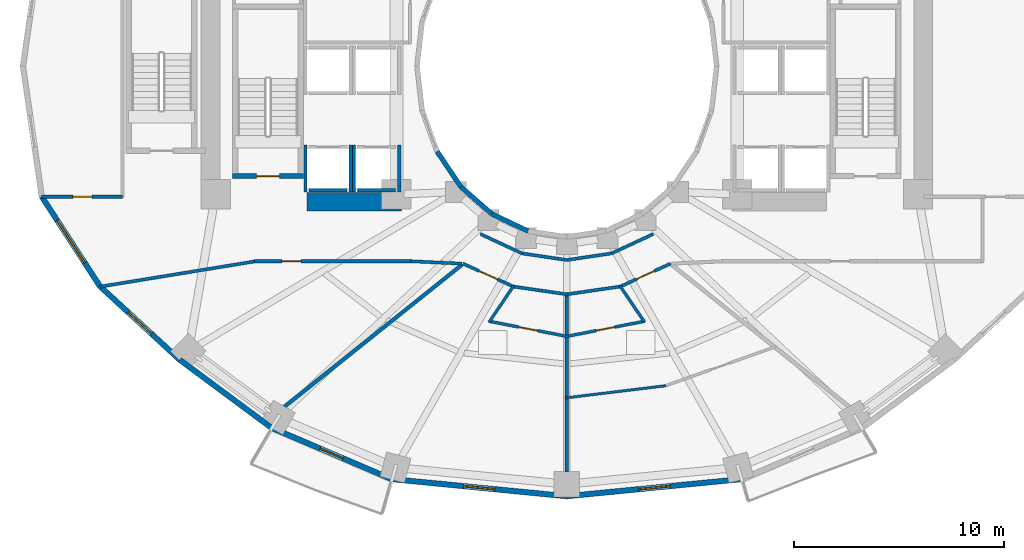
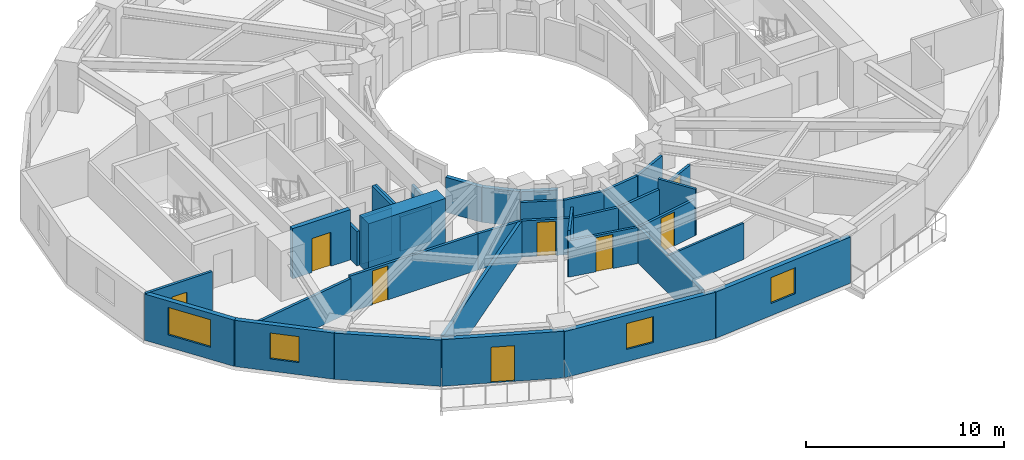
# One storey, part 3 of 10: 36 walls, 8 doors, 4 windows, 12 openings.
"""IFC4 building model written with IfcOpenShell, lengths in metres."""

from ifc_helpers import new_model, si_unit, direction, frame, frame_2d, origin, place, context, subcontext, project, spatial, rectangle, extrude, material, layer, layer_set, type_object, element, fill, save


model = new_model("IFC4")

# Units and contexts
model_context = context("Model", 3, precision=1e-05, world=origin(), true_north=direction((0.0, 1.0)))
body_context = subcontext(model_context, "Body", "Model", "MODEL_VIEW")
ifc_project = project(units=[si_unit("LENGTHUNIT", "METRE"), si_unit("AREAUNIT", "SQUARE_METRE"), si_unit("VOLUMEUNIT", "CUBIC_METRE"), si_unit("PLANEANGLEUNIT", "RADIAN"), si_unit("MASSUNIT", "GRAM", prefix="KILO")], contexts=[model_context])

# Site, building, storey
site_placement = place(None, origin())
site = spatial("IfcSite", under=ifc_project, at=site_placement, CompositionType="ELEMENT")
building_placement = place(site_placement, origin())
building = spatial("IfcBuilding", under=site, at=building_placement, Name="Solvane Sanctuary Tower", CompositionType="ELEMENT")
storey_placement = place(building_placement, frame((0.0, 0.0, 30.699951171875)))
storey = spatial("IfcBuildingStorey", under=building, at=storey_placement, Name="L08", CompositionType="ELEMENT", Elevation=30.699951171875)

# Walls
ifc_material_1 = material(Name="Concrete C70/85", Category="concrete")
ifc_layer_1 = layer(ifc_material_1, 0.89990234375, Name="Concrete C70/85")
ifc_layer_set_1 = layer_set([ifc_layer_1], Name="Concrete C70/85")
wall_type_1 = type_object("IfcWallType", Name="Wall W-CORE-900", PredefinedType="SHEAR", material=ifc_layer_set_1)
wall_1_placement = place(storey_placement, frame((19.64990234375, 16.550048828125, 0.0), z_axis=(0.0, 0.0, 1.0), x_axis=(1.0, 0.0, 0.0)))
element("IfcWall", 1, at=wall_1_placement, inside=storey, type_object=wall_type_1, Name="L08 Core Shear Wall WC-S", PredefinedType="SHEAR", context=body_context, shape_type="SweptSolid", body=[
    extrude(rectangle(XDim=4.5, YDim=0.89990234375, at=frame_2d((2.25, 0.0))), origin(), (0.0, 0.0, 1.0), 3.10009765625),
])
ifc_material_2 = material(Name="Acoustic Gypsum Partition Board")
ifc_layer_2 = layer(ifc_material_2, 0.14990234375, Name="Acoustic Gypsum Partition Board")
ifc_layer_set_2 = layer_set([ifc_layer_2], Name="Acoustic Gypsum Partition Board")
wall_type_2 = type_object("IfcWallType", Name="Wall W-CORR-150", PredefinedType="PARTITIONING", material=ifc_layer_set_2)
wall_2_placement = place(storey_placement, frame((27.889892578125, 15.01513671875, 0.0), z_axis=(0.0, 0.0, 1.0), x_axis=(0.906943449489, -0.421252393975, 0.0)))
element("IfcWall", 2, at=wall_2_placement, inside=storey, type_object=wall_type_2, Name="L08 Light-Well Corridor Rim Wall S1", PredefinedType="PARTITIONING", context=body_context, shape_type="SweptSolid", body=[
    extrude(rectangle(XDim=2.18603515625, YDim=0.14990234375, at=frame_2d((1.093017578125, 0.0))), origin(), (0.0, 0.0, 1.0), 2.237060546875),
])
for number, where, z_axis, x_axis, name in (
    (3, (29.87255859375, 14.09423828125, 0.0), (0.0, 0.0, 1.0), (0.989268584896, -0.146108408166, 0.0), "L08 Light-Well Corridor Rim Wall S2"),
    (4, (32.0, 13.780029296875, 0.0), (0.0, 0.0, 1.0), (0.989268584896, 0.146108408166, 0.0), "L08 Light-Well Corridor Rim Wall S3"),
):
    element("IfcWall", number, at=place(storey_placement, frame(where, z_axis=z_axis, x_axis=x_axis)), inside=storey, type_object=wall_type_2, Name=name, PredefinedType="PARTITIONING", context=body_context, shape_type="SweptSolid", body=[
        extrude(rectangle(XDim=2.150634765625, YDim=0.14990234375, at=frame_2d((1.0751953125, 0.0))), origin(), (0.0, 0.0, 1.0), 2.237060546875),
    ])
wall_3_placement = place(storey_placement, frame((34.12744140625, 14.09423828125, 0.0), z_axis=(0.0, 0.0, 1.0), x_axis=(0.906943449489, 0.421252393975, 0.0)))
element("IfcWall", 5, at=wall_3_placement, inside=storey, type_object=wall_type_2, Name="L08 Light-Well Corridor Rim Wall S4", PredefinedType="PARTITIONING", context=body_context, shape_type="SweptSolid", body=[
    extrude(rectangle(XDim=2.18603515625, YDim=0.14990234375, at=frame_2d((1.093017578125, 0.0))), origin(), (0.0, 0.0, 1.0), 2.237060546875),
])

# Wall, opening, door
wall_4_placement = place(storey_placement, frame((7.013671875, 16.788330078125, 0.0), z_axis=(0.0, 0.0, 1.0), x_axis=(1.0, 0.0, 0.0)))
wall_4 = element("IfcWall", 6, at=wall_4_placement, inside=storey, type_object=wall_type_2, Name="L08 West Shoulder South Wall", PredefinedType="PARTITIONING", context=body_context, shape_type="SweptSolid", body=[
    extrude(rectangle(XDim=3.8662109375, YDim=0.14990234375, at=frame_2d((1.93310546875, 0.0))), origin(), (0.0, 0.0, 1.0), 2.85498046875),
])
opening_1_placement = place(wall_4_placement, frame((1.503173828125, 0.0, 0.0)))
opening_1 = element("IfcOpeningElement", 7, at=opening_1_placement, cuts=wall_4, Name="Opening D-L08-13", PredefinedType="OPENING", context=body_context, shape_type="SweptSolid", body=[
    extrude(rectangle(XDim=0.89990234375, YDim=2.10009765625, at=frame_2d((0.449951171875, 1.050048828125))), frame((0.0, 0.0849609375, 0.0), z_axis=(0.0, -1.0, 0.0), x_axis=(1.0, 0.0, 0.0)), (0.0, 0.0, 1.0), 0.169921875),
])
ifc_material_3 = material(Name="Engineered Tropical Hardwood", Category="wood")
door_type_1 = type_object("IfcDoorType", Name="Door D-WET-900", OperationType="NOTDEFINED", PredefinedType="DOOR", material=ifc_material_3)
door_1_placement = place(opening_1_placement, origin())
door_1 = element("IfcDoor", 8, at=door_1_placement, inside=storey, type_object=door_type_1, Name="L08 West Shoulder South Door", OperationType="SINGLE_SWING_LEFT", OverallHeight=2.10009765625, OverallWidth=0.89990234375, PredefinedType="DOOR", context=body_context, shape_type="SweptSolid", body=[
    extrude(rectangle(XDim=0.89990234375, YDim=2.10009765625, at=frame_2d((0.449951171875, 1.050048828125))), frame((0.0, 0.02490234375, 0.0), z_axis=(0.0, -1.0, 0.0), x_axis=(1.0, 0.0, 0.0)), (0.0, 0.0, 1.0), 0.050048828125),
])
fill(opening_1, door_1)

# Wall
wall_5_placement = place(storey_placement, frame((27.02001953125, 13.606201171875, 0.0), z_axis=(0.0, 0.0, 1.0), x_axis=(-0.998877427952, 0.047369651964, 0.0)))
element("IfcWall", 9, at=wall_5_placement, inside=storey, type_object=wall_type_2, Name="L08 SW Corner Throat Wall", PredefinedType="PARTITIONING", context=body_context, shape_type="SweptSolid", body=[
    extrude(rectangle(XDim=2.4326171875, YDim=0.14990234375, at=frame_2d((1.21630859375, 0.0))), origin(), (0.0, 0.0, 1.0), 2.237060546875),
])

# Wall, opening, door
wall_6_placement = place(storey_placement, frame((17.14990234375, 13.719970703125, 0.0), z_axis=(0.0, 0.0, 1.0), x_axis=(1.0, 0.0, 0.0)))
wall_6 = element("IfcWall", 10, at=wall_6_placement, inside=storey, type_object=wall_type_2, Name="L08 SW Corner Corridor Wall", PredefinedType="PARTITIONING", context=body_context, shape_type="SweptSolid", body=[
    extrude(rectangle(XDim=7.52001953125, YDim=0.14990234375, at=frame_2d((3.760009765625, 0.0))), origin(), (0.0, 0.0, 1.0), 2.237060546875),
])
opening_2_placement = place(wall_6_placement, frame((1.300048828125, 0.0, 0.0)))
opening_2 = element("IfcOpeningElement", 11, at=opening_2_placement, cuts=wall_6, Name="Opening D-L08-16", PredefinedType="OPENING", context=body_context, shape_type="SweptSolid", body=[
    extrude(rectangle(XDim=0.89990234375, YDim=2.10009765625, at=frame_2d((0.449951171875, 1.050048828125))), frame((0.0, 0.0849609375, 0.0), z_axis=(0.0, -1.0, 0.0), x_axis=(1.0, 0.0, 0.0)), (0.0, 0.0, 1.0), 0.169921875),
])
door_2_placement = place(opening_2_placement, origin())
door_2 = element("IfcDoor", 12, at=door_2_placement, inside=storey, type_object=door_type_1, Name="L08 SW Corner Salon Door", OperationType="SINGLE_SWING_RIGHT", OverallHeight=2.10009765625, OverallWidth=0.89990234375, PredefinedType="DOOR", context=body_context, shape_type="SweptSolid", body=[
    extrude(rectangle(XDim=0.89990234375, YDim=2.10009765625, at=frame_2d((0.449951171875, 1.050048828125))), frame((0.0, 0.02490234375, 0.0), z_axis=(0.0, -1.0, 0.0), x_axis=(1.0, 0.0, 0.0)), (0.0, 0.0, 1.0), 0.050048828125),
])
fill(opening_2, door_2)

# Walls
wall_7_placement = place(storey_placement, frame((17.249267578125, 13.72802734375, 0.0), z_axis=(0.0, 0.0, 1.0), x_axis=(-0.98693078372, -0.161144742846, 0.0)))
element("IfcWall", 13, at=wall_7_placement, inside=storey, type_object=wall_type_2, Name="L08 SW Corner Wing Wall", PredefinedType="PARTITIONING", context=body_context, shape_type="SweptSolid", body=[
    extrude(rectangle(XDim=7.55712890625, YDim=0.14990234375, at=frame_2d((3.778564453125, 0.0))), origin(), (0.0, 0.0, 1.0), 2.069091796875),
])
wall_8_placement = place(storey_placement, frame((29.401123046875, 12.52685546875, 0.0), z_axis=(0.0, 0.0, 1.0), x_axis=(0.989649898776, -0.143502884474, 0.0)))
element("IfcWall", 14, at=wall_8_placement, inside=storey, type_object=wall_type_2, Name="L08 En-suite Inner Wall S1", PredefinedType="PARTITIONING", context=body_context, shape_type="SweptSolid", body=[
    extrude(rectangle(XDim=2.676025390625, YDim=0.14990234375, at=frame_2d((1.337890625, 0.0))), origin(), (0.0, 0.0, 1.0), 2.237060546875),
])

# Wall, opening, door
wall_9_placement = place(storey_placement, frame((27.069091796875, 13.607421875, 0.0), z_axis=(0.0, 0.0, 1.0), x_axis=(0.909747571199, -0.415161843982, 0.0)))
wall_9 = element("IfcWall", 15, at=wall_9_placement, inside=storey, type_object=wall_type_2, Name="L08 Unit Corridor Wall S1", PredefinedType="PARTITIONING", context=body_context, shape_type="SweptSolid", body=[
    extrude(rectangle(XDim=2.625, YDim=0.14990234375, at=frame_2d((1.3125, 0.0))), origin(), (0.0, 0.0, 1.0), 2.237060546875),
])
opening_3_placement = place(wall_9_placement, frame((0.837646484375, 0.0, 0.0)))
opening_3 = element("IfcOpeningElement", 16, at=opening_3_placement, cuts=wall_9, Name="Opening D-L08-24", PredefinedType="OPENING", context=body_context, shape_type="SweptSolid", body=[
    extrude(rectangle(XDim=0.949951171875, YDim=2.10009765625, at=frame_2d((0.47509765625, 1.050048828125))), frame((0.0, 0.0849609375, 0.0), z_axis=(0.0, -1.0, 0.0), x_axis=(1.0, 0.0, 0.0)), (0.0, 0.0, 1.0), 0.169921875),
])
door_type_2 = type_object("IfcDoorType", Name="Door D-ROOM-950", OperationType="NOTDEFINED", PredefinedType="DOOR", material=ifc_material_3)
door_3_placement = place(opening_3_placement, origin())
door_3 = element("IfcDoor", 17, at=door_3_placement, inside=storey, type_object=door_type_2, Name="L08 Unit Entrance Door S1", OperationType="SINGLE_SWING_RIGHT", OverallHeight=2.10009765625, OverallWidth=0.949951171875, PredefinedType="DOOR", context=body_context, shape_type="SweptSolid", body=[
    extrude(rectangle(XDim=0.949951171875, YDim=2.10009765625, at=frame_2d((0.47509765625, 1.050048828125))), frame((0.0, 0.02490234375, 0.0), z_axis=(0.0, -1.0, 0.0), x_axis=(1.0, 0.0, 0.0)), (0.0, 0.0, 1.0), 0.050048828125),
])
fill(opening_3, door_3)

# Wall
wall_10_placement = place(storey_placement, frame((31.950439453125, 12.142822265625, 0.0), z_axis=(0.0, 0.0, 1.0), x_axis=(0.989649898776, 0.143502884474, 0.0)))
element("IfcWall", 18, at=wall_10_placement, inside=storey, type_object=wall_type_2, Name="L08 En-suite Inner Wall S2", PredefinedType="PARTITIONING", context=body_context, shape_type="SweptSolid", body=[
    extrude(rectangle(XDim=2.676025390625, YDim=0.14990234375, at=frame_2d((1.337890625, 0.0))), origin(), (0.0, 0.0, 1.0), 2.237060546875),
])

# Wall, opening, door
wall_11_placement = place(storey_placement, frame((34.542724609375, 12.517578125, 0.0), z_axis=(0.0, 0.0, 1.0), x_axis=(0.909747571199, 0.415161843982, 0.0)))
wall_11 = element("IfcWall", 19, at=wall_11_placement, inside=storey, type_object=wall_type_2, Name="L08 Unit Corridor Wall S2", PredefinedType="PARTITIONING", context=body_context, shape_type="SweptSolid", body=[
    extrude(rectangle(XDim=2.625, YDim=0.14990234375, at=frame_2d((1.3125, 0.0))), origin(), (0.0, 0.0, 1.0), 2.237060546875),
])
opening_4_placement = place(wall_11_placement, frame((0.837646484375, 0.0, 0.0)))
opening_4 = element("IfcOpeningElement", 20, at=opening_4_placement, cuts=wall_11, Name="Opening D-L08-27", PredefinedType="OPENING", context=body_context, shape_type="SweptSolid", body=[
    extrude(rectangle(XDim=0.949951171875, YDim=2.10009765625, at=frame_2d((0.47509765625, 1.050048828125))), frame((0.0, 0.0849609375, 0.0), z_axis=(0.0, -1.0, 0.0), x_axis=(1.0, 0.0, 0.0)), (0.0, 0.0, 1.0), 0.169921875),
])
door_4_placement = place(opening_4_placement, origin())
door_4 = element("IfcDoor", 21, at=door_4_placement, inside=storey, type_object=door_type_2, Name="L08 Unit Entrance Door S2", OperationType="SINGLE_SWING_LEFT", OverallHeight=2.10009765625, OverallWidth=0.949951171875, PredefinedType="DOOR", context=body_context, shape_type="SweptSolid", body=[
    extrude(rectangle(XDim=0.949951171875, YDim=2.10009765625, at=frame_2d((0.47509765625, 1.050048828125))), frame((0.0, 0.02490234375, 0.0), z_axis=(0.0, -1.0, 0.0), x_axis=(1.0, 0.0, 0.0)), (0.0, 0.0, 1.0), 0.050048828125),
])
fill(opening_4, door_4)

# Wall, opening, window
ifc_material_4 = material(Name="Precast concrete C40/50", Category="concrete")
ifc_layer_3 = layer(ifc_material_4, 0.260009765625, Name="Precast concrete C40/50")
ifc_layer_set_3 = layer_set([ifc_layer_3], Name="Precast concrete C40/50")
wall_type_3 = type_object("IfcWallType", Name="Wall W-EXT-250", PredefinedType="STANDARD", material=ifc_layer_set_3)
wall_12_placement = place(storey_placement, frame((7.033447265625, 16.794677734375, 0.0), z_axis=(0.0, 0.0, 1.0), x_axis=(0.544578722263, -0.838709732421, 0.0)))
wall_12 = element("IfcWall", 22, at=wall_12_placement, inside=storey, type_object=wall_type_3, Name="L08 Ceramic-Printed Facade Wall 13", PredefinedType="STANDARD", context=body_context, shape_type="SweptSolid", body=[
    extrude(rectangle(XDim=5.091552734375, YDim=0.260009765625, at=frame_2d((2.5458984375, 0.0))), origin(), (0.0, 0.0, 1.0), 2.85009765625),
])
opening_5_placement = place(wall_12_placement, frame((1.345703125, 0.0, 0.75)))
opening_5 = element("IfcOpeningElement", 23, at=opening_5_placement, cuts=wall_12, Name="Opening WN-RIB-2400", PredefinedType="OPENING", context=body_context, shape_type="SweptSolid", body=[
    extrude(rectangle(XDim=2.39990234375, YDim=1.699951171875, at=frame_2d((1.199951171875, 0.85009765625))), frame((0.0, 0.139892578125, 0.0), z_axis=(0.0, -1.0, 0.0), x_axis=(1.0, 0.0, 0.0)), (0.0, 0.0, 1.0), 0.280029296875),
])
ifc_material_5 = material(Name="Dark Ceramic-Fritted Low-E Glass", Category="glass")
window_type_1 = type_object("IfcWindowType", Name="Window WN-RIB-2400", PartitioningType="SINGLE_PANEL", PredefinedType="WINDOW", material=ifc_material_5)
window_1_placement = place(opening_5_placement, origin())
window_1 = element("IfcWindow", 24, at=window_1_placement, inside=storey, type_object=window_type_1, Name="L08 Operable Facade Window 13", OverallHeight=1.699951171875, OverallWidth=2.39990234375, PartitioningType="SINGLE_PANEL", PredefinedType="WINDOW", context=body_context, shape_type="SweptSolid", body=[
    extrude(rectangle(XDim=2.39990234375, YDim=1.699951171875, at=frame_2d((1.199951171875, 0.85009765625))), frame((0.0, 0.030029296875, 0.0), z_axis=(0.0, -1.0, 0.0), x_axis=(1.0, 0.0, 0.0)), (0.0, 0.0, 1.0), 0.06005859375),
])
fill(opening_5, window_1)

wall_13_placement = place(storey_placement, frame((9.80615234375, 12.5244140625, 0.0), z_axis=(0.0, 0.0, 1.0), x_axis=(0.735655109293, -0.67735630223, 0.0)))
wall_13 = element("IfcWall", 25, at=wall_13_placement, inside=storey, type_object=wall_type_3, Name="L08 Ceramic-Printed Facade Wall 14", PredefinedType="STANDARD", context=body_context, shape_type="SweptSolid", body=[
    extrude(rectangle(XDim=5.15087890625, YDim=0.260009765625, at=frame_2d((2.575439453125, 0.0))), origin(), (0.0, 0.0, 1.0), 2.85009765625),
])
opening_6_placement = place(wall_13_placement, frame((1.825439453125, 0.0, 0.75)))
opening_6 = element("IfcOpeningElement", 26, at=opening_6_placement, cuts=wall_13, Name="Opening WN-OPER-1500", PredefinedType="OPENING", context=body_context, shape_type="SweptSolid", body=[
    extrude(rectangle(XDim=1.5, YDim=1.60009765625, at=frame_2d((0.75, 0.800048828125))), frame((0.0, 0.139892578125, 0.0), z_axis=(0.0, -1.0, 0.0), x_axis=(1.0, 0.0, 0.0)), (0.0, 0.0, 1.0), 0.280029296875),
])
window_type_2 = type_object("IfcWindowType", Name="Window WN-OPER-1500", PartitioningType="SINGLE_PANEL", PredefinedType="WINDOW", material=ifc_material_5)
window_2_placement = place(opening_6_placement, origin())
window_2 = element("IfcWindow", 27, at=window_2_placement, inside=storey, type_object=window_type_2, Name="L08 Operable Facade Window 14", OverallHeight=1.60009765625, OverallWidth=1.5, PartitioningType="SINGLE_PANEL", PredefinedType="WINDOW", context=body_context, shape_type="SweptSolid", body=[
    extrude(rectangle(XDim=1.5, YDim=1.60009765625, at=frame_2d((0.75, 0.800048828125))), frame((0.0, 0.030029296875, 0.0), z_axis=(0.0, -1.0, 0.0), x_axis=(1.0, 0.0, 0.0)), (0.0, 0.0, 1.0), 0.06005859375),
])
fill(opening_6, window_2)

# Wall
wall_14_placement = place(storey_placement, frame((13.595458984375, 9.035400390625, 0.0), z_axis=(0.0, 0.0, 1.0), x_axis=(0.803477531792, -0.595335078679, 0.0)))
element("IfcWall", 28, at=wall_14_placement, inside=storey, type_object=wall_type_3, Name="L08 Ceramic-Printed Facade Wall 15", PredefinedType="STANDARD", context=body_context, shape_type="SweptSolid", body=[
    extrude(rectangle(XDim=5.4296875, YDim=0.260009765625, at=frame_2d((2.71484375, 0.0))), origin(), (0.0, 0.0, 1.0), 2.85009765625),
])

# Wall, opening, door
wall_15_placement = place(storey_placement, frame((17.9580078125, 5.802978515625, 0.0), z_axis=(0.0, 0.0, 1.0), x_axis=(0.919612132394, -0.39282760335, 0.0)))
wall_15 = element("IfcWall", 29, at=wall_15_placement, inside=storey, type_object=wall_type_3, Name="L08 Balcony Facade Wall S1", PredefinedType="STANDARD", context=body_context, shape_type="SweptSolid", body=[
    extrude(rectangle(XDim=6.20947265625, YDim=0.260009765625, at=frame_2d((3.104736328125, 0.0))), origin(), (0.0, 0.0, 1.0), 2.880126953125),
])
opening_7_placement = place(wall_15_placement, frame((2.5048828125, 0.0, 0.0)))
opening_7 = element("IfcOpeningElement", 30, at=opening_7_placement, cuts=wall_15, Name="Opening D-L08-03", PredefinedType="OPENING", context=body_context, shape_type="SweptSolid", body=[
    extrude(rectangle(XDim=1.199951171875, YDim=2.199951171875, at=frame_2d((0.60009765625, 1.10009765625))), frame((0.0, 0.139892578125, 0.0), z_axis=(0.0, -1.0, 0.0), x_axis=(1.0, 0.0, 0.0)), (0.0, 0.0, 1.0), 0.280029296875),
])
ifc_material_6 = material(Name="Anodised Aluminium 6063-T6", Category="aluminium")
door_type_3 = type_object("IfcDoorType", Name="Door D-BALC-1200", OperationType="NOTDEFINED", PredefinedType="DOOR", material=ifc_material_6)
door_5_placement = place(opening_7_placement, origin())
door_5 = element("IfcDoor", 31, at=door_5_placement, inside=storey, type_object=door_type_3, Name="L08 Glazed Balcony Door S1", OperationType="SINGLE_SWING_RIGHT", OverallHeight=2.199951171875, OverallWidth=1.199951171875, PredefinedType="DOOR", context=body_context, shape_type="SweptSolid", body=[
    extrude(rectangle(XDim=1.199951171875, YDim=2.199951171875, at=frame_2d((0.60009765625, 1.10009765625))), frame((0.0, 0.02490234375, 0.0), z_axis=(0.0, -1.0, 0.0), x_axis=(1.0, 0.0, 0.0)), (0.0, 0.0, 1.0), 0.050048828125),
])
fill(opening_7, door_5)

# Wall, opening, window
wall_16_placement = place(storey_placement, frame((23.668212890625, 3.36376953125, 0.0), z_axis=(0.0, 0.0, 1.0), x_axis=(0.995247718352, -0.097375454379, 0.0)))
wall_16 = element("IfcWall", 32, at=wall_16_placement, inside=storey, type_object=wall_type_3, Name="L08 Ceramic-Printed Facade Wall 17", PredefinedType="STANDARD", context=body_context, shape_type="SweptSolid", body=[
    extrude(rectangle(XDim=8.37158203125, YDim=0.260009765625, at=frame_2d((4.185791015625, 0.0))), origin(), (0.0, 0.0, 1.0), 2.85009765625),
])
opening_8_placement = place(wall_16_placement, frame((3.435791015625, 0.0, 0.75)))
opening_8 = element("IfcOpeningElement", 33, at=opening_8_placement, cuts=wall_16, Name="Opening WN-OPER-1500", PredefinedType="OPENING", context=body_context, shape_type="SweptSolid", body=[
    extrude(rectangle(XDim=1.5, YDim=1.60009765625, at=frame_2d((0.75, 0.800048828125))), frame((0.0, 0.139892578125, 0.0), z_axis=(0.0, -1.0, 0.0), x_axis=(1.0, 0.0, 0.0)), (0.0, 0.0, 1.0), 0.280029296875),
])
window_3_placement = place(opening_8_placement, origin())
window_3 = element("IfcWindow", 34, at=window_3_placement, inside=storey, type_object=window_type_2, Name="L08 Operable Facade Window 17", OverallHeight=1.60009765625, OverallWidth=1.5, PartitioningType="SINGLE_PANEL", PredefinedType="WINDOW", context=body_context, shape_type="SweptSolid", body=[
    extrude(rectangle(XDim=1.5, YDim=1.60009765625, at=frame_2d((0.75, 0.800048828125))), frame((0.0, 0.030029296875, 0.0), z_axis=(0.0, -1.0, 0.0), x_axis=(1.0, 0.0, 0.0)), (0.0, 0.0, 1.0), 0.06005859375),
])
fill(opening_8, window_3)

wall_17_placement = place(storey_placement, frame((32.0, 2.548583984375, 0.0), z_axis=(0.0, 0.0, 1.0), x_axis=(0.995247718352, 0.097375454379, 0.0)))
wall_17 = element("IfcWall", 35, at=wall_17_placement, inside=storey, type_object=wall_type_3, Name="L08 Ceramic-Printed Facade Wall 18", PredefinedType="STANDARD", context=body_context, shape_type="SweptSolid", body=[
    extrude(rectangle(XDim=8.37158203125, YDim=0.260009765625, at=frame_2d((4.185791015625, 0.0))), origin(), (0.0, 0.0, 1.0), 2.85009765625),
])
opening_9_placement = place(wall_17_placement, frame((3.435791015625, 0.0, 0.75)))
opening_9 = element("IfcOpeningElement", 36, at=opening_9_placement, cuts=wall_17, Name="Opening WN-OPER-1500", PredefinedType="OPENING", context=body_context, shape_type="SweptSolid", body=[
    extrude(rectangle(XDim=1.5, YDim=1.60009765625, at=frame_2d((0.75, 0.800048828125))), frame((0.0, 0.139892578125, 0.0), z_axis=(0.0, -1.0, 0.0), x_axis=(1.0, 0.0, 0.0)), (0.0, 0.0, 1.0), 0.280029296875),
])
window_4_placement = place(opening_9_placement, origin())
window_4 = element("IfcWindow", 37, at=window_4_placement, inside=storey, type_object=window_type_2, Name="L08 Operable Facade Window 18", OverallHeight=1.60009765625, OverallWidth=1.5, PartitioningType="SINGLE_PANEL", PredefinedType="WINDOW", context=body_context, shape_type="SweptSolid", body=[
    extrude(rectangle(XDim=1.5, YDim=1.60009765625, at=frame_2d((0.75, 0.800048828125))), frame((0.0, 0.030029296875, 0.0), z_axis=(0.0, -1.0, 0.0), x_axis=(1.0, 0.0, 0.0)), (0.0, 0.0, 1.0), 0.06005859375),
])
fill(opening_9, window_4)

# Walls
ifc_layer_4 = layer(ifc_material_4, 0.22998046875, Name="Precast concrete C40/50")
ifc_layer_set_4 = layer_set([ifc_layer_4], Name="Precast concrete C40/50")
wall_type_4 = type_object("IfcWallType", Name="Wall W-EXT-SP220", PredefinedType="STANDARD", material=ifc_layer_set_4)
wall_18_placement = place(storey_placement, frame((25.833984375, 18.93994140625, 0.0), z_axis=(0.0, 0.0, 1.0), x_axis=(0.558197800898, -0.829707909492, 0.0)))
element("IfcWall", 38, at=wall_18_placement, inside=storey, type_object=wall_type_4, Name="L08 Central Light-Well Wall 14", PredefinedType="STANDARD", context=body_context, shape_type="SweptSolid", body=[
    extrude(rectangle(XDim=2.02685546875, YDim=0.22998046875, at=frame_2d((1.013427734375, 0.0))), origin(), (0.0, 0.0, 1.0), 2.16015625),
])
wall_19_placement = place(storey_placement, frame((26.96533203125, 17.25830078125, 0.0), z_axis=(0.0, 0.0, 1.0), x_axis=(0.752576694707, -0.658504607869, 0.0)))
element("IfcWall", 39, at=wall_19_placement, inside=storey, type_object=wall_type_4, Name="L08 Central Light-Well Wall 15", PredefinedType="STANDARD", context=body_context, shape_type="SweptSolid", body=[
    extrude(rectangle(XDim=1.95947265625, YDim=0.22998046875, at=frame_2d((0.979736328125, 0.0))), origin(), (0.0, 0.0, 1.0), 2.16015625),
])
wall_20_placement = place(storey_placement, frame((28.43994140625, 15.968017578125, 0.0), z_axis=(0.0, 0.0, 1.0), x_axis=(0.904179699603, -0.427152280606, 0.0)))
element("IfcWall", 40, at=wall_20_placement, inside=storey, type_object=wall_type_4, Name="L08 Central Light-Well Wall 16", PredefinedType="STANDARD", context=body_context, shape_type="SweptSolid", body=[
    extrude(rectangle(XDim=1.899169921875, YDim=0.22998046875, at=frame_2d((0.94970703125, 0.0))), origin(), (0.0, 0.0, 1.0), 2.16015625),
])
ifc_layer_5 = layer(ifc_material_2, 0.1201171875, Name="Acoustic Gypsum Partition Board")
ifc_layer_set_5 = layer_set([ifc_layer_5], Name="Acoustic Gypsum Partition Board")
wall_type_5 = type_object("IfcWallType", Name="Wall W-MOV-100", PredefinedType="MOVABLE", material=ifc_layer_set_5)
wall_21_placement = place(storey_placement, frame((31.950439453125, 7.224609375, 0.0), z_axis=(0.0, 0.0, 1.0), x_axis=(0.992699076447, 0.120617343785, 0.0)))
element("IfcWall", 41, at=wall_21_placement, inside=storey, type_object=wall_type_5, Name="L08 Suite Sitting Lounge Partition S2", PredefinedType="MOVABLE", context=body_context, shape_type="SweptSolid", body=[
    extrude(rectangle(XDim=4.79296875, YDim=0.1201171875, at=frame_2d((2.396484375, 0.0))), origin(), (0.0, 0.0, 1.0), 2.237060546875),
])
ifc_material_7 = material(Name="Concrete C50/60", Category="concrete")
ifc_layer_6 = layer(ifc_material_7, 0.14990234375, Name="Concrete C50/60")
ifc_layer_set_6 = layer_set([ifc_layer_6], Name="Concrete C50/60")
wall_type_6 = type_object("IfcWallType", Name="Wall W-SHAFT-150", PredefinedType="SOLIDWALL", material=ifc_layer_set_6)
wall_22_placement = place(storey_placement, frame((19.739990234375, 17.10009765625, 0.0), z_axis=(0.0, 0.0, 1.0), x_axis=(1.0, 0.0, 0.0)))
element("IfcWall", 42, at=wall_22_placement, inside=storey, type_object=wall_type_6, Name="L08 PL-1 Lift Shaft Wall B", PredefinedType="SOLIDWALL", context=body_context, shape_type="SweptSolid", body=[
    extrude(rectangle(XDim=1.820068359375, YDim=0.14990234375, at=frame_2d((0.91015625, 0.0))), origin(), (0.0, 0.0, 1.0), 2.85498046875),
])
wall_23_placement = place(storey_placement, frame((19.570068359375, 17.02001953125, 0.0), z_axis=(0.0, 0.0, 1.0), x_axis=(0.0, 1.0, 0.0)))
element("IfcWall", 43, at=wall_23_placement, inside=storey, type_object=wall_type_6, Name="L08 PL-1 Lift Shaft Wall S1", PredefinedType="SOLIDWALL", context=body_context, shape_type="SweptSolid", body=[
    extrude(rectangle(XDim=2.219970703125, YDim=0.14990234375, at=frame_2d((1.10986328125, 0.0))), origin(), (0.0, 0.0, 1.0), 2.1201171875),
])
wall_24_placement = place(storey_placement, frame((21.72998046875, 17.02001953125, 0.0), z_axis=(0.0, 0.0, 1.0), x_axis=(0.0, 1.0, 0.0)))
element("IfcWall", 44, at=wall_24_placement, inside=storey, type_object=wall_type_6, Name="L08 PL-1 Lift Shaft Wall S2", PredefinedType="SOLIDWALL", context=body_context, shape_type="SweptSolid", body=[
    extrude(rectangle(XDim=2.219970703125, YDim=0.14990234375, at=frame_2d((1.10986328125, 0.0))), origin(), (0.0, 0.0, 1.0), 2.85498046875),
])
wall_25_placement = place(storey_placement, frame((22.0400390625, 17.10009765625, 0.0), z_axis=(0.0, 0.0, 1.0), x_axis=(1.0, 0.0, 0.0)))
element("IfcWall", 45, at=wall_25_placement, inside=storey, type_object=wall_type_6, Name="L08 PL-2 Lift Shaft Wall B", PredefinedType="SOLIDWALL", context=body_context, shape_type="SweptSolid", body=[
    extrude(rectangle(XDim=1.820068359375, YDim=0.14990234375, at=frame_2d((0.91015625, 0.0))), origin(), (0.0, 0.0, 1.0), 2.1201171875),
])
wall_26_placement = place(storey_placement, frame((21.8701171875, 17.02001953125, 0.0), z_axis=(0.0, 0.0, 1.0), x_axis=(0.0, 1.0, 0.0)))
element("IfcWall", 46, at=wall_26_placement, inside=storey, type_object=wall_type_6, Name="L08 PL-2 Lift Shaft Wall S1", PredefinedType="SOLIDWALL", context=body_context, shape_type="SweptSolid", body=[
    extrude(rectangle(XDim=2.219970703125, YDim=0.14990234375, at=frame_2d((1.10986328125, 0.0))), origin(), (0.0, 0.0, 1.0), 2.85498046875),
])
wall_27_placement = place(storey_placement, frame((24.030029296875, 17.02001953125, 0.0), z_axis=(0.0, 0.0, 1.0), x_axis=(0.0, 1.0, 0.0)))
element("IfcWall", 47, at=wall_27_placement, inside=storey, type_object=wall_type_6, Name="L08 PL-2 Lift Shaft Wall S2", PredefinedType="SOLIDWALL", context=body_context, shape_type="SweptSolid", body=[
    extrude(rectangle(XDim=2.219970703125, YDim=0.14990234375, at=frame_2d((1.10986328125, 0.0))), origin(), (0.0, 0.0, 1.0), 2.1201171875),
])

# Wall, opening, door
ifc_layer_7 = layer(ifc_material_7, 0.25, Name="Concrete C50/60")
ifc_layer_set_7 = layer_set([ifc_layer_7], Name="Concrete C50/60")
wall_type_7 = type_object("IfcWallType", Name="Wall W-SHAFT-250", PredefinedType="SOLIDWALL", material=ifc_layer_set_7)
wall_28_placement = place(storey_placement, frame((16.10498046875, 17.77001953125, 0.0), z_axis=(0.0, 0.0, 1.0), x_axis=(1.0, 0.0, 0.0)))
wall_28 = element("IfcWall", 48, at=wall_28_placement, inside=storey, type_object=wall_type_7, Name="L08 ST-1 Load-Bearing Shaft Wall S", PredefinedType="SOLIDWALL", context=body_context, shape_type="SweptSolid", body=[
    extrude(rectangle(XDim=3.3701171875, YDim=0.25, at=frame_2d((1.68505859375, 0.0))), origin(), (0.0, 0.0, 1.0), 3.10009765625),
])
opening_10_placement = place(wall_28_placement, frame((1.135009765625, 0.0, 0.0)))
opening_10 = element("IfcOpeningElement", 49, at=opening_10_placement, cuts=wall_28, Name="Opening D-L08-05", PredefinedType="OPENING", context=body_context, shape_type="SweptSolid", body=[
    extrude(rectangle(XDim=1.10009765625, YDim=2.10009765625, at=frame_2d((0.550048828125, 1.050048828125))), frame((0.0, 0.135009765625, 0.0), z_axis=(0.0, -1.0, 0.0), x_axis=(1.0, 0.0, 0.0)), (0.0, 0.0, 1.0), 0.27001953125),
])
ifc_material_8 = material(Name="Architectural Stainless Steel 316", Category="steel")
door_type_4 = type_object("IfcDoorType", Name="Door D-STAIR", OperationType="NOTDEFINED", PredefinedType="DOOR", material=ifc_material_8)
door_6_placement = place(opening_10_placement, origin())
door_6 = element("IfcDoor", 50, at=door_6_placement, inside=storey, type_object=door_type_4, Name="L08 ST-1 Exit Stair Fire Door", OperationType="SINGLE_SWING_RIGHT", OverallHeight=2.10009765625, OverallWidth=1.10009765625, PredefinedType="DOOR", context=body_context, shape_type="SweptSolid", body=[
    extrude(rectangle(XDim=1.10009765625, YDim=2.10009765625, at=frame_2d((0.550048828125, 1.050048828125))), frame((0.0, 0.02490234375, 0.0), z_axis=(0.0, -1.0, 0.0), x_axis=(1.0, 0.0, 0.0)), (0.0, 0.0, 1.0), 0.050048828125),
])
fill(opening_10, door_6)

# Walls
ifc_layer_8 = layer(ifc_material_2, 0.179931640625, Name="Acoustic Gypsum Partition Board")
ifc_layer_set_8 = layer_set([ifc_layer_8], Name="Acoustic Gypsum Partition Board")
wall_type_8 = type_object("IfcWallType", Name="Wall W-UNIT-180", PredefinedType="PARTITIONING", material=ifc_layer_set_8)
wall_29_placement = place(storey_placement, frame((27.031982421875, 13.5693359375, 0.0), z_axis=(0.0, 0.0, 1.0), x_axis=(-0.781055486744, -0.624461629428, 0.0)))
element("IfcWall", 51, at=wall_29_placement, inside=storey, type_object=wall_type_8, Name="L08 Radial Compartment Wall 240", PredefinedType="PARTITIONING", context=body_context, shape_type="SweptSolid", body=[
    extrude(rectangle(XDim=10.84326171875, YDim=0.179931640625, at=frame_2d((5.421630859375, 0.0))), origin(), (0.0, 0.0, 1.0), 2.237060546875),
])
wall_30_placement = place(storey_placement, frame((32.0, 12.094970703125, 0.0), z_axis=(0.0, 0.0, 1.0), x_axis=(0.0, -1.0, 0.0)))
element("IfcWall", 52, at=wall_30_placement, inside=storey, type_object=wall_type_8, Name="L08 Radial Compartment Wall 270", PredefinedType="PARTITIONING", context=body_context, shape_type="SweptSolid", body=[
    extrude(rectangle(XDim=8.39501953125, YDim=0.179931640625, at=frame_2d((4.197509765625, 0.0))), origin(), (0.0, 0.0, 1.0), 2.237060546875),
])
ifc_layer_9 = layer(ifc_material_2, 0.139892578125, Name="Acoustic Gypsum Partition Board")
ifc_layer_set_9 = layer_set([ifc_layer_9], Name="Acoustic Gypsum Partition Board")
wall_type_9 = type_object("IfcWallType", Name="Wall W-WET-140", PredefinedType="PLUMBINGWALL", material=ifc_layer_set_9)
wall_31_placement = place(storey_placement, frame((29.478515625, 12.56103515625, 0.0), z_axis=(0.0, 0.0, 1.0), x_axis=(-0.56056273171, -0.828111963335, 0.0)))
element("IfcWall", 53, at=wall_31_placement, inside=storey, type_object=wall_type_9, Name="L08 En-suite Side Partition S1", PredefinedType="PLUMBINGWALL", context=body_context, shape_type="SweptSolid", body=[
    extrude(rectangle(XDim=2.099609375, YDim=0.139892578125, at=frame_2d((1.0498046875, 0.0))), origin(), (0.0, 0.0, 1.0), 2.85498046875),
])

# Wall, opening, door
wall_32_placement = place(storey_placement, frame((28.2802734375, 10.873046875, 0.0), z_axis=(0.0, 0.0, 1.0), x_axis=(0.981623000654, -0.190830512727, 0.0)))
wall_32 = element("IfcWall", 54, at=wall_32_placement, inside=storey, type_object=wall_type_9, Name="L08 En-suite Bedroom Wall S1", PredefinedType="PLUMBINGWALL", context=body_context, shape_type="SweptSolid", body=[
    extrude(rectangle(XDim=3.83935546875, YDim=0.139892578125, at=frame_2d((1.919677734375, 0.0))), origin(), (0.0, 0.0, 1.0), 2.237060546875),
])
opening_11_placement = place(wall_32_placement, frame((1.4697265625, 0.0, 0.0)))
opening_11 = element("IfcOpeningElement", 55, at=opening_11_placement, cuts=wall_32, Name="Opening D-L08-23", PredefinedType="OPENING", context=body_context, shape_type="SweptSolid", body=[
    extrude(rectangle(XDim=0.89990234375, YDim=2.10009765625, at=frame_2d((0.449951171875, 1.050048828125))), frame((0.0, 0.079833984375, 0.0), z_axis=(0.0, -1.0, 0.0), x_axis=(1.0, 0.0, 0.0)), (0.0, 0.0, 1.0), 0.159912109375),
])
door_7_placement = place(opening_11_placement, origin())
door_7 = element("IfcDoor", 56, at=door_7_placement, inside=storey, type_object=door_type_1, Name="L08 En-suite Bathroom Door S1", OperationType="SINGLE_SWING_LEFT", OverallHeight=2.10009765625, OverallWidth=0.89990234375, PredefinedType="DOOR", context=body_context, shape_type="SweptSolid", body=[
    extrude(rectangle(XDim=0.89990234375, YDim=2.10009765625, at=frame_2d((0.449951171875, 1.050048828125))), frame((0.0, 0.02490234375, 0.0), z_axis=(0.0, -1.0, 0.0), x_axis=(1.0, 0.0, 0.0)), (0.0, 0.0, 1.0), 0.050048828125),
])
fill(opening_11, door_7)

# Wall
wall_33_placement = place(storey_placement, frame((34.521484375, 12.56103515625, 0.0), z_axis=(0.0, 0.0, 1.0), x_axis=(0.56056273171, -0.828111963335, 0.0)))
element("IfcWall", 57, at=wall_33_placement, inside=storey, type_object=wall_type_9, Name="L08 En-suite Side Partition S2", PredefinedType="PLUMBINGWALL", context=body_context, shape_type="SweptSolid", body=[
    extrude(rectangle(XDim=2.099609375, YDim=0.139892578125, at=frame_2d((1.0498046875, 0.0))), origin(), (0.0, 0.0, 1.0), 2.85498046875),
])

# Wall, opening, door
wall_34_placement = place(storey_placement, frame((31.950927734375, 10.140380859375, 0.0), z_axis=(0.0, 0.0, 1.0), x_axis=(0.981623000654, 0.190830512727, 0.0)))
wall_34 = element("IfcWall", 58, at=wall_34_placement, inside=storey, type_object=wall_type_9, Name="L08 En-suite Bedroom Wall S2", PredefinedType="PLUMBINGWALL", context=body_context, shape_type="SweptSolid", body=[
    extrude(rectangle(XDim=3.83935546875, YDim=0.139892578125, at=frame_2d((1.919677734375, 0.0))), origin(), (0.0, 0.0, 1.0), 2.237060546875),
])
opening_12_placement = place(wall_34_placement, frame((1.4697265625, 0.0, 0.0)))
opening_12 = element("IfcOpeningElement", 59, at=opening_12_placement, cuts=wall_34, Name="Opening D-L08-26", PredefinedType="OPENING", context=body_context, shape_type="SweptSolid", body=[
    extrude(rectangle(XDim=0.89990234375, YDim=2.10009765625, at=frame_2d((0.449951171875, 1.050048828125))), frame((0.0, 0.079833984375, 0.0), z_axis=(0.0, -1.0, 0.0), x_axis=(1.0, 0.0, 0.0)), (0.0, 0.0, 1.0), 0.159912109375),
])
door_8_placement = place(opening_12_placement, origin())
door_8 = element("IfcDoor", 60, at=door_8_placement, inside=storey, type_object=door_type_1, Name="L08 En-suite Bathroom Door S2", OperationType="SINGLE_SWING_RIGHT", OverallHeight=2.10009765625, OverallWidth=0.89990234375, PredefinedType="DOOR", context=body_context, shape_type="SweptSolid", body=[
    extrude(rectangle(XDim=0.89990234375, YDim=2.10009765625, at=frame_2d((0.449951171875, 1.050048828125))), frame((0.0, 0.02490234375, 0.0), z_axis=(0.0, -1.0, 0.0), x_axis=(1.0, 0.0, 0.0)), (0.0, 0.0, 1.0), 0.050048828125),
])
fill(opening_12, door_8)

save(model, "model.ifc")
